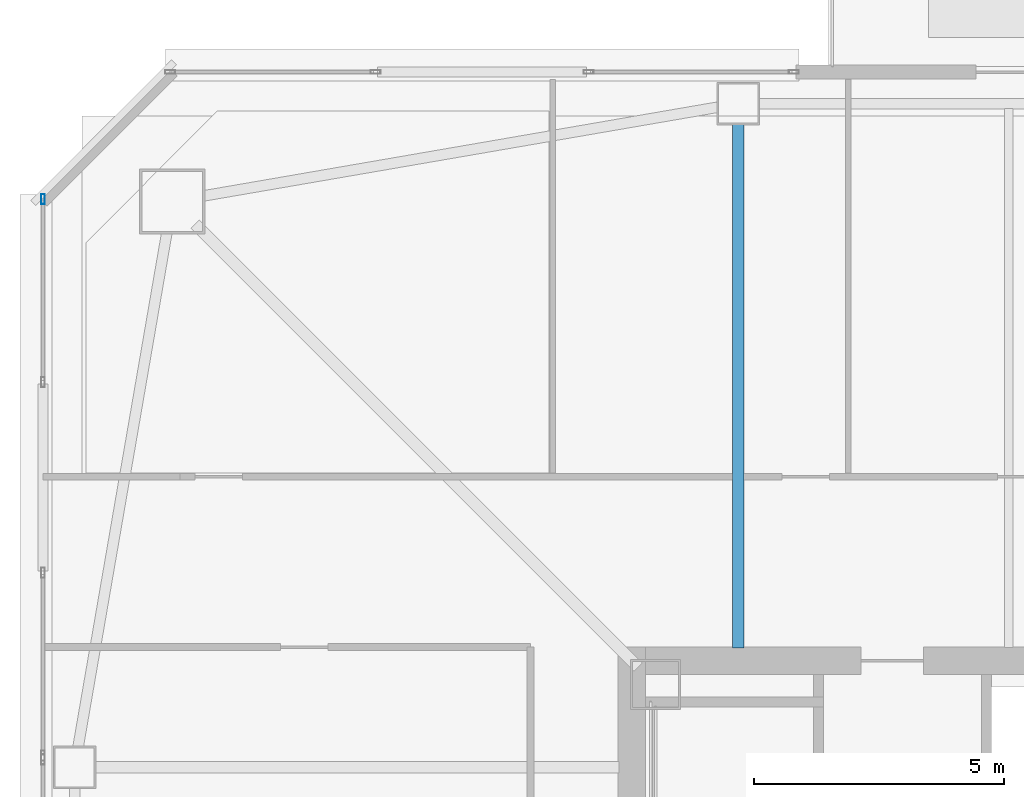
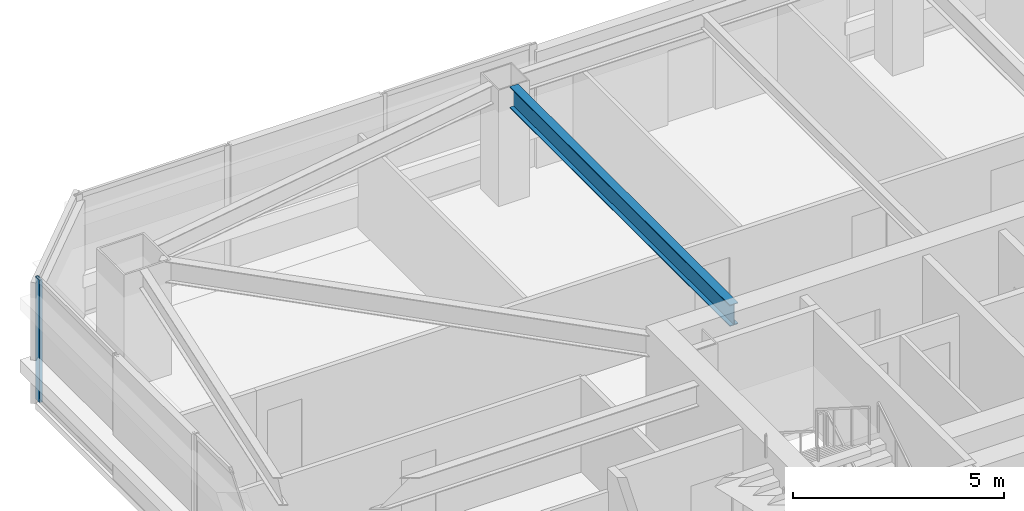
# One storey, part 14 of 46: 1 beam, 1 member, 1 element without a shape of its own.
"""IFC4 building model written with IfcOpenShell, lengths in metres."""

from ifc_helpers import new_model, si_unit, direction, frame, origin, origin_2d, place, context, subcontext, project, spatial, hollow_rectangle, i_section, extrude, material, material_profile, profile_set, type_object, element, aggregate, save


model = new_model("IFC4")

# Units and contexts
model_context = context("Model", 3, precision=1e-05, world=origin(), true_north=direction((0.0, 1.0)))
body_context = subcontext(model_context, "Body", "Model", "MODEL_VIEW")
ifc_project = project(units=[si_unit("LENGTHUNIT", "METRE"), si_unit("AREAUNIT", "SQUARE_METRE"), si_unit("VOLUMEUNIT", "CUBIC_METRE"), si_unit("PLANEANGLEUNIT", "RADIAN"), si_unit("MASSUNIT", "GRAM", prefix="KILO")], contexts=[model_context])

# Site, building, storey
site_placement = place(None, origin())
site = spatial("IfcSite", under=ifc_project, at=site_placement, CompositionType="ELEMENT")
building_placement = place(site_placement, origin())
building = spatial("IfcBuilding", under=site, at=building_placement, Name="Tashvorn Skyway Center", CompositionType="ELEMENT")
storey_placement = place(building_placement, frame((0.0, 0.0, 139.25)))
storey = spatial("IfcBuildingStorey", under=building, at=storey_placement, Name="L37", CompositionType="ELEMENT", Elevation=139.25)

# Beam
ifc_material_1 = material(Name="Steel ASTM A992 Grade 50", Category="steel")
ifc_material_profile_1 = material_profile(ifc_material_1, i_section(OverallWidth=0.22998046875, OverallDepth=0.616943359375, WebThickness=0.01318359375, FlangeThickness=0.022216796875, at=origin_2d()), Name="W24X94")
ifc_profile_set_1 = profile_set([ifc_material_profile_1], Name="Steel ASTM A992 Grade 50")
beam_type = type_object("IfcBeamType", Name="BM-BEAM-W24X94", PredefinedType="BEAM", material=ifc_profile_set_1)
beam_placement = place(storey_placement, frame((36.60009765625, 50.22998046875, 3.0615234375), z_axis=(0.0, -1.0, 0.0), x_axis=(1.0, 0.0, 0.0)))
element("IfcBeam", 1, at=beam_placement, inside=storey, type_object=beam_type, Name="Tower 1 L37 Primary Floor Girder FC-N2", PredefinedType="BEAM", context=body_context, shape_type="SweptSolid", body=[
    extrude(i_section(OverallWidth=0.22998046875, OverallDepth=0.616943359375, WebThickness=0.01318359375, FlangeThickness=0.022216796875, at=origin_2d()), origin(), (0.0, 0.0, 1.0), 10.449951171875),
])

# Curtain wall, member
ifc_material_2 = material(Name="Thermally broken bronze-anodized aluminium 6063-T6", Category="aluminium")
curtain_wall_type = type_object("IfcCurtainWallType", Name="CW-CW-Z3", PredefinedType="NOTDEFINED", material=ifc_material_2)
curtain_wall_placement = place(storey_placement, origin())
curtain_wall = element("IfcCurtainWall", 2, at=curtain_wall_placement, inside=storey, type_object=curtain_wall_type, Name="Tower 1 L37 West Unitised Curtain Wall Glazing Group 5", PredefinedType="NOTDEFINED")
ifc_material_profile_2 = material_profile(ifc_material_2, hollow_rectangle(XDim=0.074951171875, YDim=0.199951171875, WallThickness=0.00439453125, at=origin_2d()), Name="ALU-MULL-75x200")
ifc_profile_set_2 = profile_set([ifc_material_profile_2], Name="Thermally broken bronze-anodized aluminium 6063-T6")
member_type = type_object("IfcMemberType", Name="CWM-CW-Z3", PredefinedType="MULLION", material=ifc_profile_set_2)
member_placement = place(storey_placement, frame((22.719970703125, 48.742431640625, 0.0), z_axis=(0.0, 0.0, 1.0), x_axis=(-1.0, 0.0, 0.0)))
member = element("IfcMember", 3, at=member_placement, type_object=member_type, Name="CW-Z3 mullion 2", PredefinedType="MULLION", context=body_context, shape_type="SweptSolid", body=[
    extrude(hollow_rectangle(XDim=0.074951171875, YDim=0.199951171875, WallThickness=0.00439453125, at=origin_2d()), origin(), (0.0, 0.0, 1.0), 3.550048828125),
])
aggregate(curtain_wall, [member])

save(model, "model.ifc")
